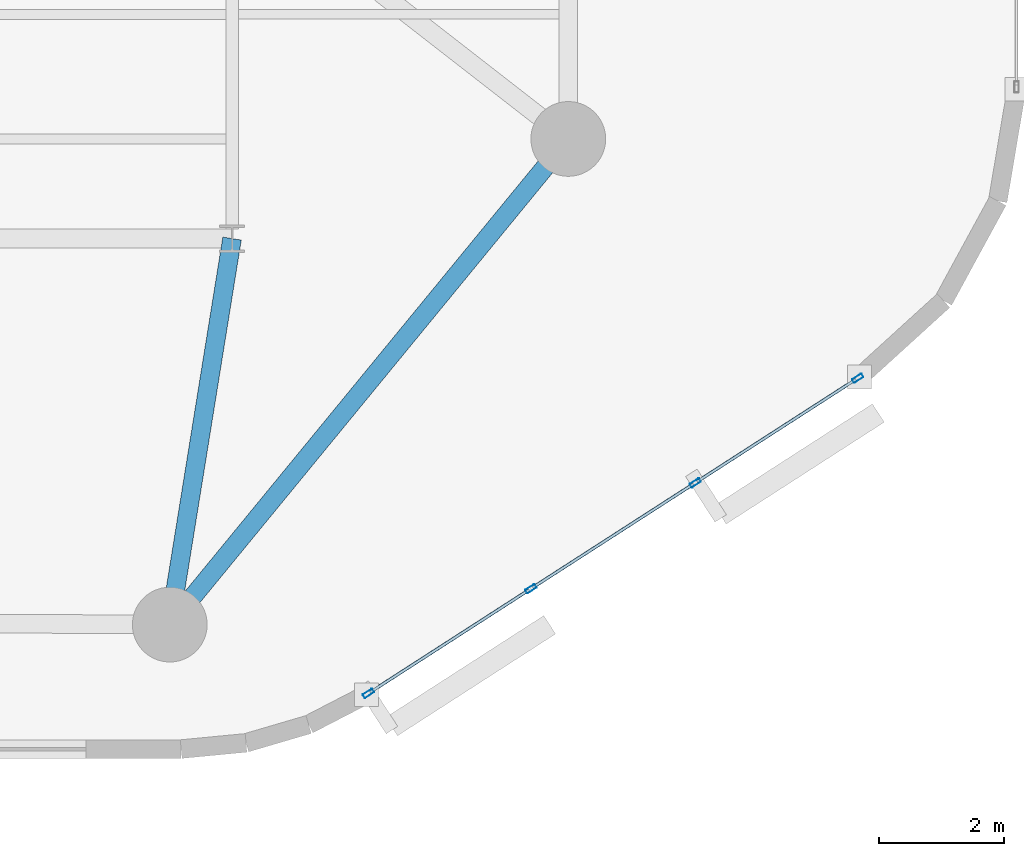
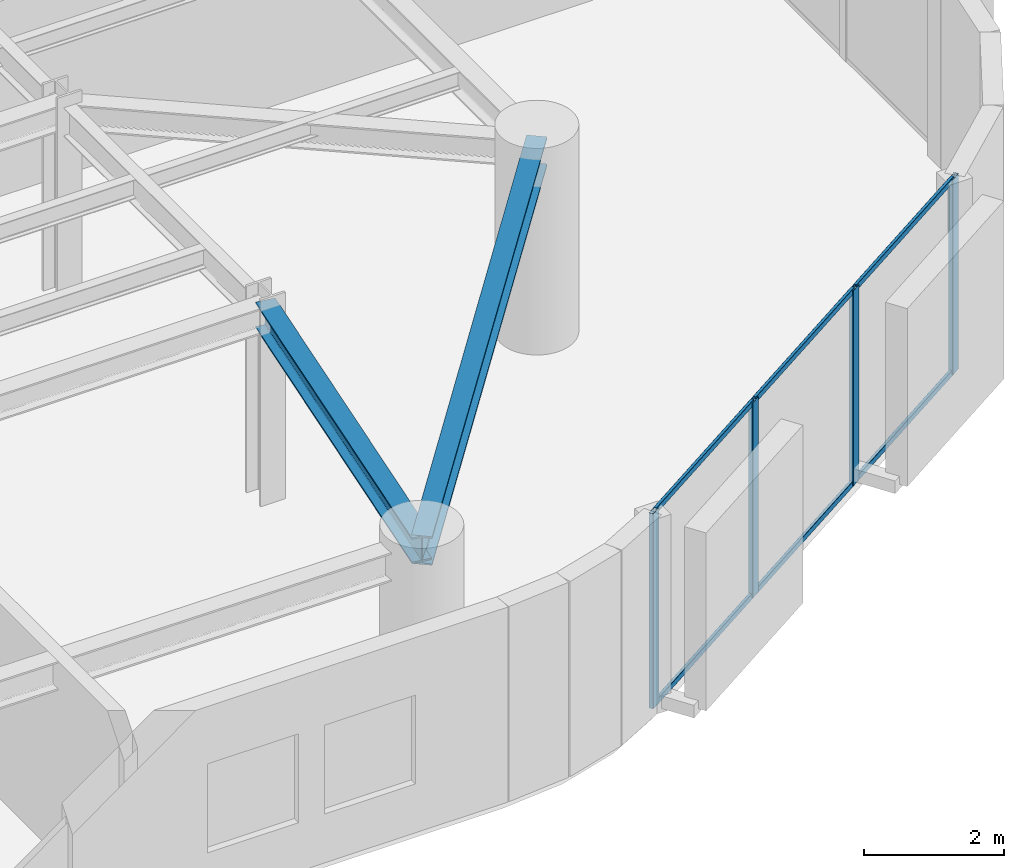
# One storey, part 2 of 15: 10 members, 2 beams, 1 element without a shape of its own.
"""IFC4 building model written with IfcOpenShell, lengths in metres."""

from ifc_helpers import new_model, si_unit, direction, frame, origin, origin_2d, place, context, subcontext, project, spatial, hollow_rectangle, i_section, extrude, material, layer, layer_set, material_profile, profile_set, type_object, element, aggregate, save


model = new_model("IFC4")

# Units and contexts
model_context = context("Model", 3, precision=1e-05, world=origin(), true_north=direction((0.0, 1.0)))
body_context = subcontext(model_context, "Body", "Model", "MODEL_VIEW")
ifc_project = project(units=[si_unit("LENGTHUNIT", "METRE"), si_unit("AREAUNIT", "SQUARE_METRE"), si_unit("VOLUMEUNIT", "CUBIC_METRE"), si_unit("PLANEANGLEUNIT", "RADIAN"), si_unit("MASSUNIT", "GRAM", prefix="KILO")], contexts=[model_context])

# Site, building, storey
site_placement = place(None, origin())
site = spatial("IfcSite", under=ifc_project, at=site_placement, CompositionType="ELEMENT")
building_placement = place(site_placement, origin())
building = spatial("IfcBuilding", under=site, at=building_placement, Name="An Khanh Terracotta Commons", CompositionType="ELEMENT")
storey_placement = place(building_placement, frame((0.0, 0.0, 176.199951171875)))
storey = spatial("IfcBuildingStorey", under=building, at=storey_placement, Name="L46", CompositionType="ELEMENT", Elevation=176.199951171875)

# Beams
ifc_material_1 = material(Name="Steel S355J2", Category="steel")
ifc_material_profile_1 = material_profile(ifc_material_1, i_section(OverallWidth=0.300048828125, OverallDepth=0.449951171875, WebThickness=0.013916015625, FlangeThickness=0.02587890625, FilletRadius=0.027099609375, at=origin_2d()), Name="HEB450")
ifc_profile_set_1 = profile_set([ifc_material_profile_1], Name="Steel S355J2")
beam_type_1 = type_object("IfcBeamType", Name="BM-HEB450", PredefinedType="BEAM", material=ifc_profile_set_1)
beam_1_placement = place(storey_placement, frame((49.39990234375, 8.199951171875, 3.175048828125), z_axis=(0.159233661074, 0.987240923575, 0.0), x_axis=(-0.987240923575, 0.159233661074, 0.0)))
element("IfcBeam", 1, at=beam_1_placement, inside=storey, type_object=beam_type_1, Name="L46 Mega-Column Tie Girder 2", PredefinedType="BEAM", context=body_context, shape_type="SweptSolid", body=[
    extrude(i_section(OverallWidth=0.300048828125, OverallDepth=0.449951171875, WebThickness=0.013916015625, FlangeThickness=0.02587890625, FilletRadius=0.027099609375, at=origin_2d()), origin(), (0.0, 0.0, 1.0), 6.280029296875),
])
ifc_material_profile_2 = material_profile(ifc_material_1, i_section(OverallWidth=0.300048828125, OverallDepth=0.5, WebThickness=0.014404296875, FlangeThickness=0.028076171875, FilletRadius=0.027099609375, at=origin_2d()), Name="HEB500")
ifc_profile_set_2 = profile_set([ifc_material_profile_2], Name="Steel S355J2")
beam_type_2 = type_object("IfcBeamType", Name="BM-HEB500", PredefinedType="BEAM", material=ifc_profile_set_2)
beam_2_placement = place(storey_placement, frame((49.39990234375, 8.199951171875, 3.150146484375), z_axis=(0.634322915223, 0.7730681983, 0.0), x_axis=(-0.7730681983, 0.634322915223, 0.0)))
element("IfcBeam", 2, at=beam_2_placement, inside=storey, type_object=beam_type_2, Name="L46 Perimeter Ring Spandrel 2", PredefinedType="BEAM", context=body_context, shape_type="SweptSolid", body=[
    extrude(i_section(OverallWidth=0.300048828125, OverallDepth=0.5, WebThickness=0.014404296875, FlangeThickness=0.028076171875, FilletRadius=0.027099609375, at=origin_2d()), origin(), (0.0, 0.0, 1.0), 10.08984375),
])

# Curtain wall, members
ifc_material_2 = material(Name="Anodised Aluminium 6063-T6", Category="aluminium")
ifc_layer = layer(ifc_material_2, 0.2099609375, Name="Anodised Aluminium 6063-T6")
ifc_layer_set = layer_set([ifc_layer], Name="Anodised Aluminium 6063-T6")
curtain_wall_type = type_object("IfcCurtainWallType", Name="CW-SYS-03", PredefinedType="USERDEFINED", material=ifc_layer_set)
curtain_wall_placement = place(storey_placement, origin())
curtain_wall = element("IfcCurtainWall", 3, at=curtain_wall_placement, inside=storey, type_object=curtain_wall_type, Name="L46 CW-03 Unitised Curtain Wall CW-L46-08", ObjectType="UNITISED CURTAIN WALL", PredefinedType="USERDEFINED")
ifc_material_profile_3 = material_profile(ifc_material_2, hollow_rectangle(XDim=0.070068359375, YDim=0.179931640625, WallThickness=0.00390625, InnerFilletRadius=0.00390625, OuterFilletRadius=0.008056640625, at=origin_2d()), Name="RHS180x70x4")
ifc_profile_set_3 = profile_set([ifc_material_profile_3], Name="Anodised Aluminium 6063-T6")
member_type_1 = type_object("IfcMemberType", Name="CWM-RHS180x70x4", PredefinedType="MULLION", material=ifc_profile_set_3)
member_1_placement = place(storey_placement, frame((52.58935546875, 7.094970703125, 0.0), z_axis=(0.0, 0.0, 1.0), x_axis=(-0.541497931062, 0.840702081986, 0.0)))
member_1 = element("IfcMember", 4, at=member_1_placement, type_object=member_type_1, Name="CW-03 mullion 1", PredefinedType="MULLION", context=body_context, shape_type="SweptSolid", body=[
    extrude(hollow_rectangle(XDim=0.070068359375, YDim=0.179931640625, WallThickness=0.00390625, InnerFilletRadius=0.00390625, OuterFilletRadius=0.008056640625, at=origin_2d()), origin(), (0.0, 0.0, 1.0), 3.400146484375),
])
member_2_placement = place(storey_placement, frame((55.19921875, 8.77587890625, 0.0), z_axis=(0.0, 0.0, 1.0), x_axis=(-0.541497931062, 0.840702081986, 0.0)))
member_2 = element("IfcMember", 5, at=member_2_placement, type_object=member_type_1, Name="CW-03 mullion 2", PredefinedType="MULLION", context=body_context, shape_type="SweptSolid", body=[
    extrude(hollow_rectangle(XDim=0.070068359375, YDim=0.179931640625, WallThickness=0.00390625, InnerFilletRadius=0.00390625, OuterFilletRadius=0.008056640625, at=origin_2d()), origin(), (0.0, 0.0, 1.0), 3.400146484375),
])
member_3_placement = place(storey_placement, frame((57.838623046875, 10.47607421875, 0.0), z_axis=(0.0, 0.0, 1.0), x_axis=(-0.541497931062, 0.840702081986, 0.0)))
member_3 = element("IfcMember", 6, at=member_3_placement, type_object=member_type_1, Name="CW-03 mullion 3", PredefinedType="MULLION", context=body_context, shape_type="SweptSolid", body=[
    extrude(hollow_rectangle(XDim=0.070068359375, YDim=0.179931640625, WallThickness=0.00390625, InnerFilletRadius=0.00390625, OuterFilletRadius=0.008056640625, at=origin_2d()), origin(), (0.0, 0.0, 1.0), 3.400146484375),
])
member_4_placement = place(storey_placement, frame((60.448486328125, 12.156982421875, 0.0), z_axis=(0.0, 0.0, 1.0), x_axis=(-0.541497931062, 0.840702081986, 0.0)))
member_4 = element("IfcMember", 7, at=member_4_placement, type_object=member_type_1, Name="CW-03 mullion 4", PredefinedType="MULLION", context=body_context, shape_type="SweptSolid", body=[
    extrude(hollow_rectangle(XDim=0.070068359375, YDim=0.179931640625, WallThickness=0.00390625, InnerFilletRadius=0.00390625, OuterFilletRadius=0.008056640625, at=origin_2d()), origin(), (0.0, 0.0, 1.0), 3.400146484375),
])
ifc_material_profile_4 = material_profile(ifc_material_2, hollow_rectangle(XDim=0.050048828125, YDim=0.10009765625, WallThickness=0.003173828125, InnerFilletRadius=0.003173828125, OuterFilletRadius=0.00634765625, at=origin_2d()), Name="RHS100x50x3.2")
ifc_profile_set_4 = profile_set([ifc_material_profile_4], Name="Anodised Aluminium 6063-T6")
member_type_2 = type_object("IfcMemberType", Name="CWT-RHS100x50x3.2", PredefinedType="USERDEFINED", material=ifc_profile_set_4)
member_5_placement = place(storey_placement, frame((52.618896484375, 7.114013671875, 0.025146484375), z_axis=(0.840710223453, 0.541485290826, 0.0), x_axis=(-0.541485290826, 0.840710223453, 0.0)))
member_5 = element("IfcMember", 8, at=member_5_placement, type_object=member_type_2, Name="CW-03 transom 1.1", ObjectType="TRANSOM", PredefinedType="USERDEFINED", context=body_context, shape_type="SweptSolid", body=[
    extrude(hollow_rectangle(XDim=0.050048828125, YDim=0.10009765625, WallThickness=0.003173828125, InnerFilletRadius=0.003173828125, OuterFilletRadius=0.00634765625, at=origin_2d()), origin(), (0.0, 0.0, 1.0), 3.034423828125),
])
member_6_placement = place(storey_placement, frame((52.618896484375, 7.114013671875, 3.375), z_axis=(0.840710223453, 0.541485290826, 0.0), x_axis=(-0.541485290826, 0.840710223453, 0.0)))
member_6 = element("IfcMember", 9, at=member_6_placement, type_object=member_type_2, Name="CW-03 transom 1.2", ObjectType="TRANSOM", PredefinedType="USERDEFINED", context=body_context, shape_type="SweptSolid", body=[
    extrude(hollow_rectangle(XDim=0.050048828125, YDim=0.10009765625, WallThickness=0.003173828125, InnerFilletRadius=0.003173828125, OuterFilletRadius=0.00634765625, at=origin_2d()), origin(), (0.0, 0.0, 1.0), 3.034423828125),
])
member_7_placement = place(storey_placement, frame((55.228759765625, 8.794921875, 0.025146484375), z_axis=(0.840707825526, 0.54148901383, 0.0), x_axis=(-0.54148901383, 0.840707825526, 0.0)))
member_7 = element("IfcMember", 10, at=member_7_placement, type_object=member_type_2, Name="CW-03 transom 2.1", ObjectType="TRANSOM", PredefinedType="USERDEFINED", context=body_context, shape_type="SweptSolid", body=[
    extrude(hollow_rectangle(XDim=0.050048828125, YDim=0.10009765625, WallThickness=0.003173828125, InnerFilletRadius=0.003173828125, OuterFilletRadius=0.00634765625, at=origin_2d()), origin(), (0.0, 0.0, 1.0), 3.069580078125),
])
member_8_placement = place(storey_placement, frame((55.228759765625, 8.794921875, 3.375), z_axis=(0.840707825526, 0.54148901383, 0.0), x_axis=(-0.54148901383, 0.840707825526, 0.0)))
member_8 = element("IfcMember", 11, at=member_8_placement, type_object=member_type_2, Name="CW-03 transom 2.2", ObjectType="TRANSOM", PredefinedType="USERDEFINED", context=body_context, shape_type="SweptSolid", body=[
    extrude(hollow_rectangle(XDim=0.050048828125, YDim=0.10009765625, WallThickness=0.003173828125, InnerFilletRadius=0.003173828125, OuterFilletRadius=0.00634765625, at=origin_2d()), origin(), (0.0, 0.0, 1.0), 3.069580078125),
])
member_9_placement = place(storey_placement, frame((57.8681640625, 10.494873046875, 0.025146484375), z_axis=(0.840673595852, 0.541542154626, 0.0), x_axis=(-0.541542154626, 0.840673595852, 0.0)))
member_9 = element("IfcMember", 12, at=member_9_placement, type_object=member_type_2, Name="CW-03 transom 3.1", ObjectType="TRANSOM", PredefinedType="USERDEFINED", context=body_context, shape_type="SweptSolid", body=[
    extrude(hollow_rectangle(XDim=0.050048828125, YDim=0.10009765625, WallThickness=0.003173828125, InnerFilletRadius=0.003173828125, OuterFilletRadius=0.00634765625, at=origin_2d()), origin(), (0.0, 0.0, 1.0), 3.034423828125),
])
member_10_placement = place(storey_placement, frame((57.8681640625, 10.494873046875, 3.375), z_axis=(0.840673595852, 0.541542154626, 0.0), x_axis=(-0.541542154626, 0.840673595852, 0.0)))
member_10 = element("IfcMember", 13, at=member_10_placement, type_object=member_type_2, Name="CW-03 transom 3.2", ObjectType="TRANSOM", PredefinedType="USERDEFINED", context=body_context, shape_type="SweptSolid", body=[
    extrude(hollow_rectangle(XDim=0.050048828125, YDim=0.10009765625, WallThickness=0.003173828125, InnerFilletRadius=0.003173828125, OuterFilletRadius=0.00634765625, at=origin_2d()), origin(), (0.0, 0.0, 1.0), 3.034423828125),
])
aggregate(curtain_wall, [member_1, member_2, member_3, member_4, member_5, member_6, member_7, member_8, member_9, member_10])

save(model, "model.ifc")
